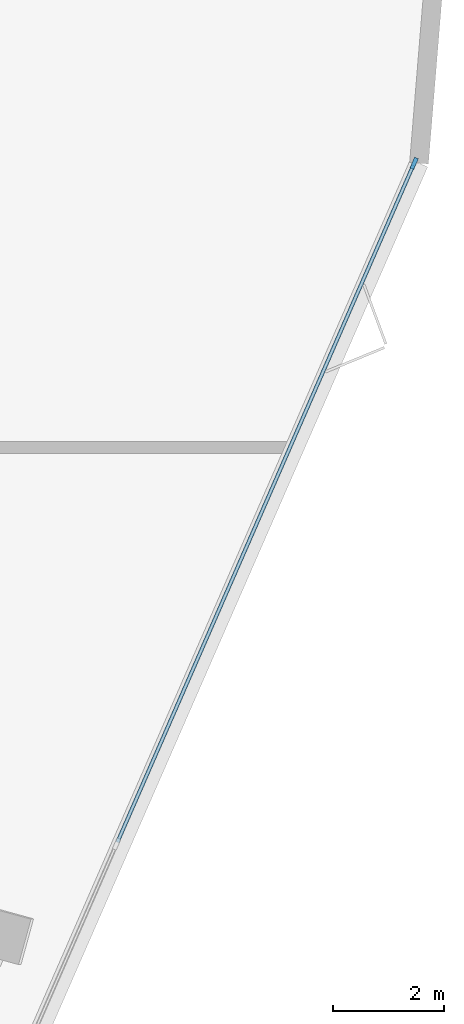
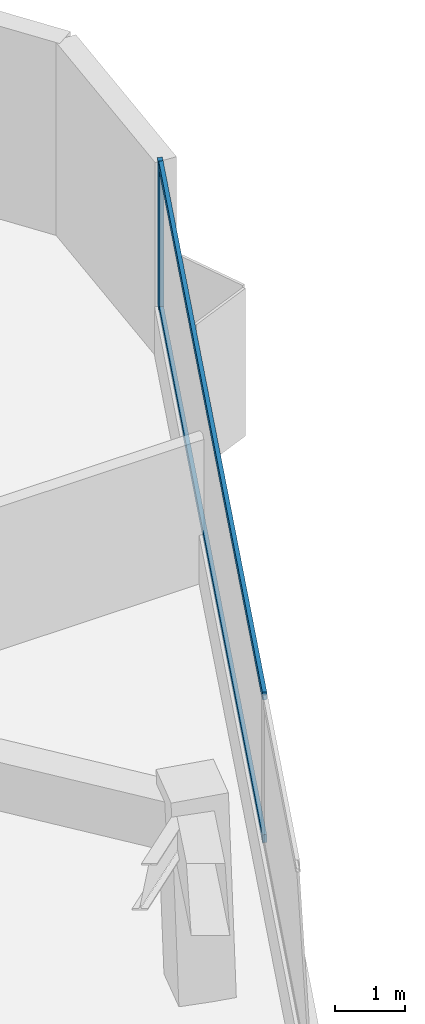
# One storey, part 7 of 14: 3 members, 1 element without a shape of its own.
"""IFC4 building model written with IfcOpenShell, lengths in metres."""

from ifc_helpers import new_model, si_unit, direction, frame, origin, origin_2d, place, context, subcontext, project, spatial, rectangle, extrude, material, layer, layer_set, material_profile, profile_set, type_object, element, aggregate, save


model = new_model("IFC4")

# Units and contexts
model_context = context("Model", 3, precision=1e-05, world=origin(), true_north=direction((0.0, 1.0)))
body_context = subcontext(model_context, "Body", "Model", "MODEL_VIEW")
ifc_project = project(units=[si_unit("LENGTHUNIT", "METRE"), si_unit("AREAUNIT", "SQUARE_METRE"), si_unit("VOLUMEUNIT", "CUBIC_METRE"), si_unit("PLANEANGLEUNIT", "RADIAN"), si_unit("MASSUNIT", "GRAM", prefix="KILO")], contexts=[model_context])

# Site, building, storey
site_placement = place(None, origin())
site = spatial("IfcSite", under=ifc_project, at=site_placement, CompositionType="ELEMENT")
building_placement = place(site_placement, origin())
building = spatial("IfcBuilding", under=site, at=building_placement, Name="Talyreon Biosciences Tower", CompositionType="ELEMENT")
storey_placement = place(building_placement, frame((0.0, 0.0, 96.89990234375)))
storey = spatial("IfcBuildingStorey", under=building, at=storey_placement, Name="L25", CompositionType="ELEMENT", Elevation=96.89990234375)

# Curtain wall, members
ifc_material_1 = material(Name="Thermally broken aluminium and low-E glazing", Category="aluminium")
ifc_layer = layer(ifc_material_1, 0.205078125)
ifc_layer_set = layer_set([ifc_layer], Name="Thermally broken aluminium and low-E glazing")
curtain_wall_type = type_object("IfcCurtainWallType", Name="CurtainWall_SkyGardenLoggia", PredefinedType="NOTDEFINED", material=ifc_layer_set)
curtain_wall_placement = place(storey_placement, origin())
curtain_wall = element("IfcCurtainWall", 1, at=curtain_wall_placement, inside=storey, type_object=curtain_wall_type, Name="L25 Unitised Curtain Wall FCW-L25-07", PredefinedType="NOTDEFINED")
ifc_material_2 = material(Name="Anodised thermally broken aluminium", Category="aluminium")
ifc_material_profile_1 = material_profile(ifc_material_2, rectangle(XDim=0.074951171875, YDim=0.2099609375, at=origin_2d()), Name="ALUM MULLION 75x210")
ifc_profile_set_1 = profile_set([ifc_material_profile_1], Name="Anodised thermally broken aluminium")
member_type_1 = type_object("IfcMemberType", Name="CWMullion_75x210", PredefinedType="MULLION", material=ifc_profile_set_1)
member_1_placement = place(storey_placement, frame((96.8955078125, 83.068359375, 0.81005859375), z_axis=(0.0, 0.0, 1.0), x_axis=(0.916278057019, -0.400542784513, 0.0)))
member_1 = element("IfcMember", 2, at=member_1_placement, type_object=member_type_1, Name="CW7 mullion 1", PredefinedType="MULLION", context=body_context, shape_type="SweptSolid", body=[
    extrude(rectangle(XDim=0.074951171875, YDim=0.2099609375, at=origin_2d()), origin(), (0.0, 0.0, 1.0), 2.56494140625),
])
ifc_material_profile_2 = material_profile(ifc_material_2, rectangle(XDim=0.06494140625, YDim=0.139892578125, at=origin_2d()), Name="ALUM TRANSOM 65x140")
ifc_profile_set_2 = profile_set([ifc_material_profile_2], Name="Anodised thermally broken aluminium")
member_type_2 = type_object("IfcMemberType", Name="CWTransom_65x140", PredefinedType="USERDEFINED", material=ifc_profile_set_2)
member_2_placement = place(storey_placement, frame((96.880615234375, 83.033935546875, 0.842529296875), z_axis=(-0.400535857879, -0.916281084904, 0.0), x_axis=(0.916281084904, -0.400535857879, 0.0)))
member_2 = element("IfcMember", 3, at=member_2_placement, type_object=member_type_2, Name="CW7 transom 1.1", ObjectType="TRANSOM", PredefinedType="USERDEFINED", context=body_context, shape_type="SweptSolid", body=[
    extrude(rectangle(XDim=0.06494140625, YDim=0.139892578125, at=origin_2d()), origin(), (0.0, 0.0, 1.0), 13.3525390625),
])
member_3_placement = place(storey_placement, frame((96.880615234375, 83.033935546875, 3.342529296875), z_axis=(-0.400535857879, -0.916281084904, 0.0), x_axis=(0.916281084904, -0.400535857879, 0.0)))
member_3 = element("IfcMember", 4, at=member_3_placement, type_object=member_type_2, Name="CW7 transom 1.2", ObjectType="TRANSOM", PredefinedType="USERDEFINED", context=body_context, shape_type="SweptSolid", body=[
    extrude(rectangle(XDim=0.06494140625, YDim=0.139892578125, at=origin_2d()), origin(), (0.0, 0.0, 1.0), 13.3525390625),
])
aggregate(curtain_wall, [member_1, member_2, member_3])

save(model, "model.ifc")
